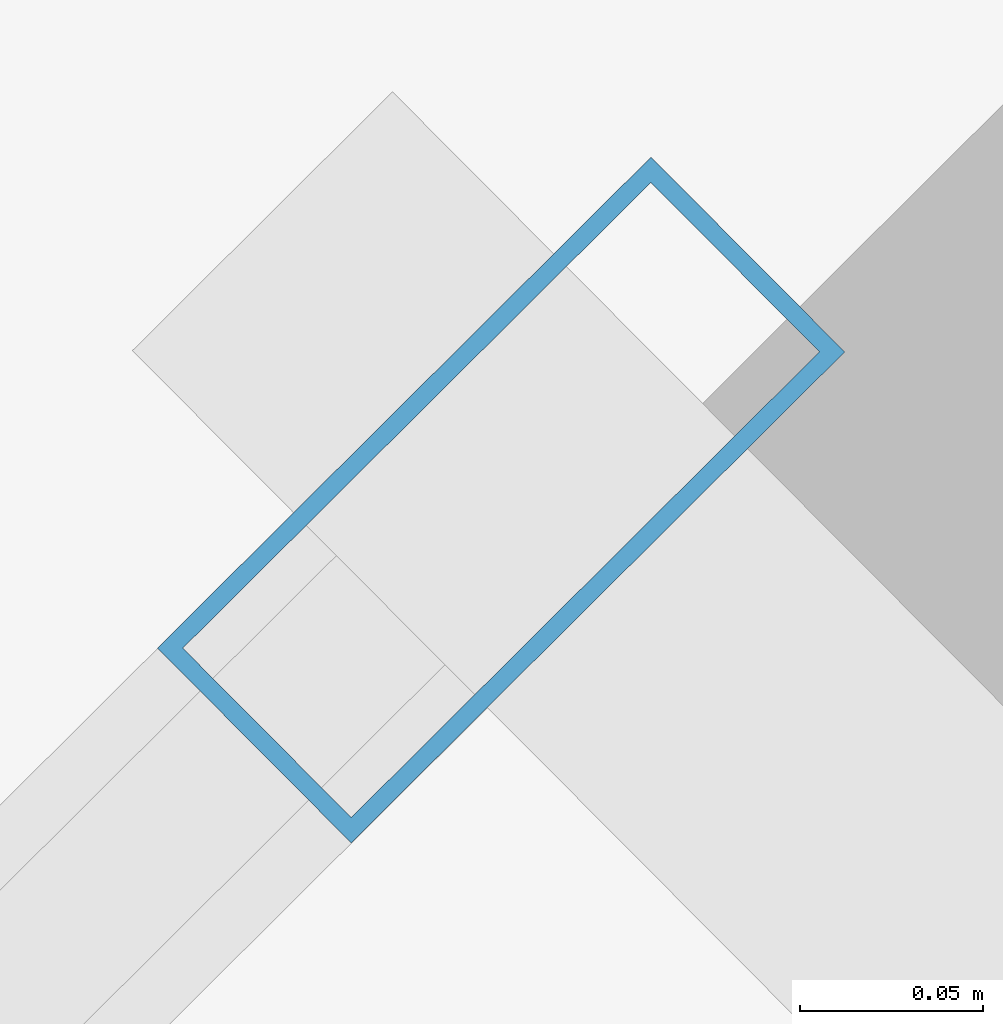
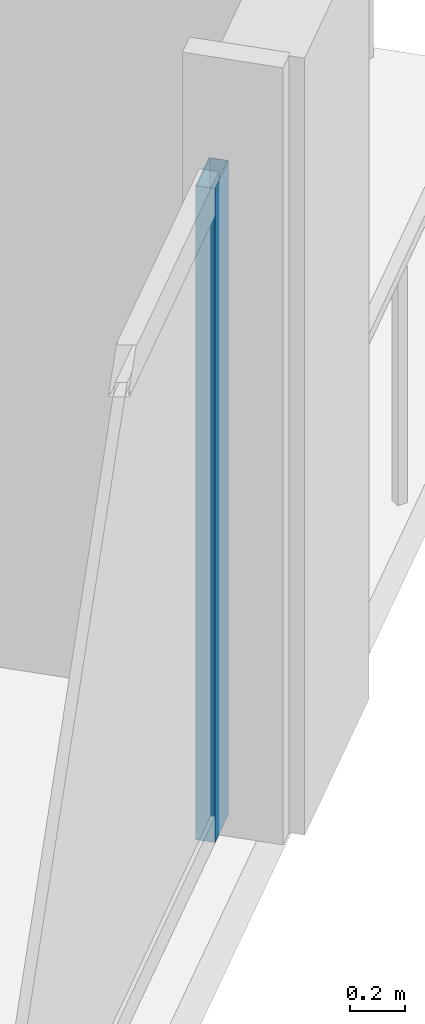
# One storey, part 12 of 32: 1 member, 1 element without a shape of its own.
"""IFC4 building model written with IfcOpenShell, lengths in metres."""

from ifc_helpers import new_model, si_unit, direction, frame, origin, origin_2d, place, context, subcontext, project, spatial, hollow_rectangle, extrude, material, material_profile, profile_set, type_object, element, aggregate, save


model = new_model("IFC4")

# Units and contexts
model_context = context("Model", 3, precision=1e-05, world=origin(), true_north=direction((0.0, 1.0)))
body_context = subcontext(model_context, "Body", "Model", "MODEL_VIEW")
ifc_project = project(units=[si_unit("LENGTHUNIT", "METRE"), si_unit("AREAUNIT", "SQUARE_METRE"), si_unit("VOLUMEUNIT", "CUBIC_METRE"), si_unit("PLANEANGLEUNIT", "RADIAN"), si_unit("MASSUNIT", "GRAM", prefix="KILO")], contexts=[model_context])

# Site, building, storey
site_placement = place(None, origin())
site = spatial("IfcSite", under=ifc_project, at=site_placement, CompositionType="ELEMENT")
building_placement = place(site_placement, origin())
building = spatial("IfcBuilding", under=site, at=building_placement, Name="Haldenkirk Collegiate Tower", CompositionType="ELEMENT")
storey_placement = place(building_placement, frame((0.0, 0.0, 178.199951171875)))
storey = spatial("IfcBuildingStorey", under=building, at=storey_placement, Name="L44", CompositionType="ELEMENT", Elevation=178.199951171875)

# Curtain wall, member
ifc_material = material(Name="Anodised architectural bronze aluminium", Category="aluminium")
curtain_wall_type = type_object("IfcCurtainWallType", Name="CW-SYS2-CONCAVE", PredefinedType="USERDEFINED", material=ifc_material)
curtain_wall_placement = place(storey_placement, origin())
curtain_wall = element("IfcCurtainWall", 1, at=curtain_wall_placement, inside=storey, type_object=curtain_wall_type, Name="L44 South concave recessed bronze-anodised curtain wall", ObjectType="UNITISED CURTAIN WALL", PredefinedType="USERDEFINED")
ifc_material_profile = material_profile(ifc_material, hollow_rectangle(XDim=0.074951171875, YDim=0.18994140625, WallThickness=0.0048828125, at=origin_2d()), Name="CW-MUL-02")
ifc_profile_set = profile_set([ifc_material_profile], Name="Anodised architectural bronze aluminium")
member_type = type_object("IfcMemberType", Name="CW-MUL-02", PredefinedType="MULLION", material=ifc_profile_set)
member_placement = place(storey_placement, frame((66.792724609375, 23.2802734375, 0.0), z_axis=(0.0, 0.0, 1.0), x_axis=(0.705254740393, -0.708953983805, 0.0)))
member = element("IfcMember", 2, at=member_placement, type_object=member_type, Name="CW-02 mullion 1", PredefinedType="MULLION", context=body_context, shape_type="SweptSolid", body=[
    extrude(hollow_rectangle(XDim=0.074951171875, YDim=0.18994140625, WallThickness=0.0048828125, at=origin_2d()), origin(), (0.0, 0.0, 1.0), 2.9111328125),
])
aggregate(curtain_wall, [member])

save(model, "model.ifc")
